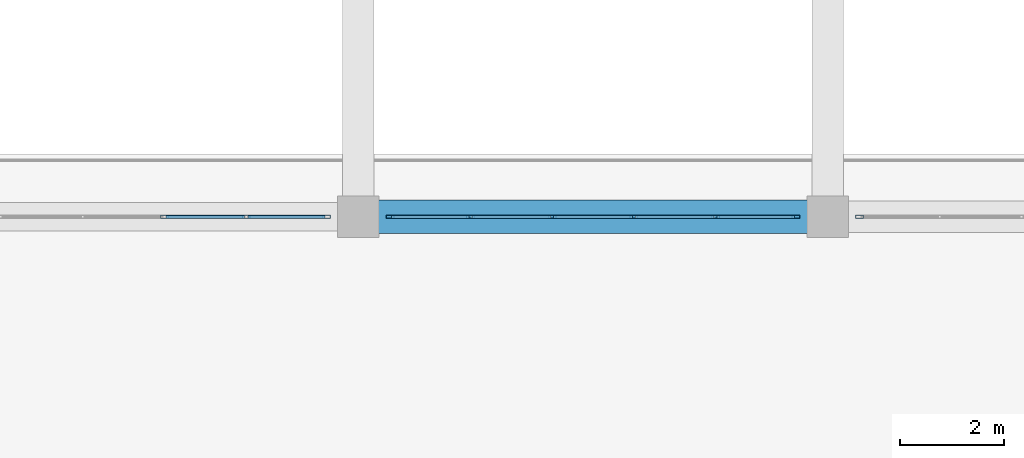
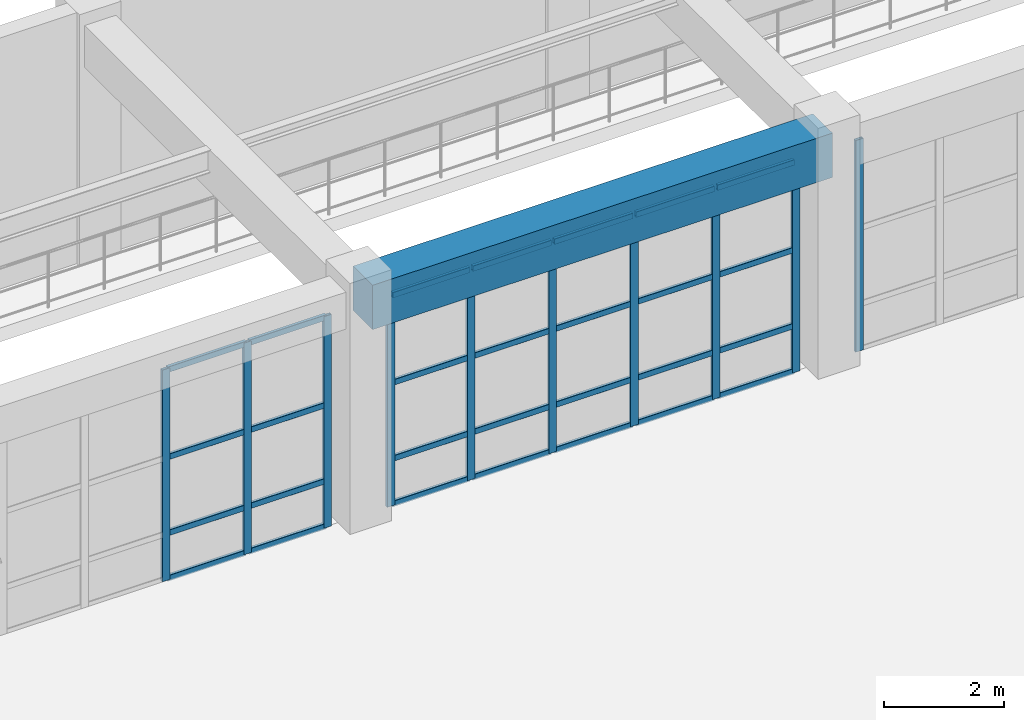
# One storey, part 62 of 128: 38 members, 1 beam, 3 elements without a shape of their own.
"""IFC4 building model written with IfcOpenShell, lengths in metres."""

from ifc_helpers import new_model, si_unit, direction, frame, origin, origin_2d, place, context, subcontext, project, spatial, rectangle, hollow_rectangle, extrude, material, material_profile, profile_set, type_object, element, aggregate, save


model = new_model("IFC4")

# Units and contexts
model_context = context("Model", 3, precision=1e-05, world=origin(), true_north=direction((0.0, 1.0)))
body_context = subcontext(model_context, "Body", "Model", "MODEL_VIEW")
ifc_project = project(units=[si_unit("LENGTHUNIT", "METRE"), si_unit("AREAUNIT", "SQUARE_METRE"), si_unit("VOLUMEUNIT", "CUBIC_METRE"), si_unit("PLANEANGLEUNIT", "RADIAN"), si_unit("MASSUNIT", "GRAM", prefix="KILO")], contexts=[model_context])

# Site, building, storey
site_placement = place(None, origin())
site = spatial("IfcSite", under=ifc_project, at=site_placement, CompositionType="ELEMENT")
building_placement = place(site_placement, origin())
building = spatial("IfcBuilding", under=site, at=building_placement, Name="Miravela Opera House", CompositionType="ELEMENT")
storey_placement = place(building_placement, origin())
storey = spatial("IfcBuildingStorey", under=building, at=storey_placement, Name="L00", CompositionType="ELEMENT", Elevation=0.0)

# Curtain wall, members
ifc_material_1 = material(Name="Anodised architectural bronze aluminium 6063-T6", Category="aluminium")
curtain_wall_type = type_object("IfcCurtainWallType", Name="ARC-CW-04", PredefinedType="NOTDEFINED", material=ifc_material_1)
curtain_wall_1_placement = place(storey_placement, origin())
curtain_wall_1 = element("IfcCurtainWall", 1, at=curtain_wall_1_placement, inside=storey, type_object=curtain_wall_type, Name="Courtyard Arcade Curtain Wall CW-L00-071", PredefinedType="NOTDEFINED")
ifc_material_profile_1 = material_profile(ifc_material_1, hollow_rectangle(XDim=0.06005859375, YDim=0.14990234375, WallThickness=0.00390625, InnerFilletRadius=0.001953125, OuterFilletRadius=0.00390625, at=origin_2d()), Name="CWM-60X150")
ifc_profile_set_1 = profile_set([ifc_material_profile_1])
member_type_1 = type_object("IfcMemberType", Name="ARC-CWM-150", PredefinedType="MULLION", material=ifc_profile_set_1)
member_1_placement = place(storey_placement, frame((32.283935546875, 103.0, 0.0), z_axis=(0.0, 0.0, 1.0), x_axis=(0.0, 1.0, 0.0)))
member_1 = element("IfcMember", 2, at=member_1_placement, type_object=member_type_1, Name="CW-04 mullion 4", PredefinedType="MULLION", context=body_context, shape_type="SweptSolid", body=[
    extrude(hollow_rectangle(XDim=0.06005859375, YDim=0.14990234375, WallThickness=0.00390625, InnerFilletRadius=0.001953125, OuterFilletRadius=0.00390625, at=origin_2d()), origin(), (0.0, 0.0, 1.0), 4.300048828125),
])
member_2_placement = place(storey_placement, frame((33.85205078125, 103.0, 0.0), z_axis=(0.0, 0.0, 1.0), x_axis=(0.0, 1.0, 0.0)))
member_2 = element("IfcMember", 3, at=member_2_placement, type_object=member_type_1, Name="CW-04 mullion 5", PredefinedType="MULLION", context=body_context, shape_type="SweptSolid", body=[
    extrude(hollow_rectangle(XDim=0.06005859375, YDim=0.14990234375, WallThickness=0.00390625, InnerFilletRadius=0.001953125, OuterFilletRadius=0.00390625, at=origin_2d()), origin(), (0.0, 0.0, 1.0), 4.300048828125),
])
member_3_placement = place(storey_placement, frame((35.389892578125, 103.0, 0.0), z_axis=(0.0, 0.0, 1.0), x_axis=(0.0, 1.0, 0.0)))
member_3 = element("IfcMember", 4, at=member_3_placement, type_object=member_type_1, Name="CW-04 mullion 6", PredefinedType="MULLION", context=body_context, shape_type="SweptSolid", body=[
    extrude(hollow_rectangle(XDim=0.06005859375, YDim=0.14990234375, WallThickness=0.00390625, InnerFilletRadius=0.001953125, OuterFilletRadius=0.00390625, at=origin_2d()), origin(), (0.0, 0.0, 1.0), 4.300048828125),
])

curtain_wall_2_placement = place(storey_placement, origin())
curtain_wall_2 = element("IfcCurtainWall", 5, at=curtain_wall_2_placement, inside=storey, type_object=curtain_wall_type, Name="Courtyard Arcade Curtain Wall CW-L00-072", PredefinedType="NOTDEFINED")
member_4_placement = place(storey_placement, frame((36.610107421875, 103.0, 0.0), z_axis=(0.0, 0.0, 1.0), x_axis=(0.0, 1.0, 0.0)))
member_4 = element("IfcMember", 6, at=member_4_placement, type_object=member_type_1, Name="CW-04 mullion 1", PredefinedType="MULLION", context=body_context, shape_type="SweptSolid", body=[
    extrude(hollow_rectangle(XDim=0.06005859375, YDim=0.14990234375, WallThickness=0.00390625, InnerFilletRadius=0.001953125, OuterFilletRadius=0.00390625, at=origin_2d()), origin(), (0.0, 0.0, 1.0), 4.300048828125),
])
member_5_placement = place(storey_placement, frame((38.14794921875, 103.0, 0.0), z_axis=(0.0, 0.0, 1.0), x_axis=(0.0, 1.0, 0.0)))
member_5 = element("IfcMember", 7, at=member_5_placement, type_object=member_type_1, Name="CW-04 mullion 2", PredefinedType="MULLION", context=body_context, shape_type="SweptSolid", body=[
    extrude(hollow_rectangle(XDim=0.06005859375, YDim=0.14990234375, WallThickness=0.00390625, InnerFilletRadius=0.001953125, OuterFilletRadius=0.00390625, at=origin_2d()), origin(), (0.0, 0.0, 1.0), 4.300048828125),
])
member_6_placement = place(storey_placement, frame((39.716064453125, 103.0, 0.0), z_axis=(0.0, 0.0, 1.0), x_axis=(0.0, 1.0, 0.0)))
member_6 = element("IfcMember", 8, at=member_6_placement, type_object=member_type_1, Name="CW-04 mullion 3", PredefinedType="MULLION", context=body_context, shape_type="SweptSolid", body=[
    extrude(hollow_rectangle(XDim=0.06005859375, YDim=0.14990234375, WallThickness=0.00390625, InnerFilletRadius=0.001953125, OuterFilletRadius=0.00390625, at=origin_2d()), origin(), (0.0, 0.0, 1.0), 4.300048828125),
])
member_7_placement = place(storey_placement, frame((41.283935546875, 103.0, 0.0), z_axis=(0.0, 0.0, 1.0), x_axis=(0.0, 1.0, 0.0)))
member_7 = element("IfcMember", 9, at=member_7_placement, type_object=member_type_1, Name="CW-04 mullion 4", PredefinedType="MULLION", context=body_context, shape_type="SweptSolid", body=[
    extrude(hollow_rectangle(XDim=0.06005859375, YDim=0.14990234375, WallThickness=0.00390625, InnerFilletRadius=0.001953125, OuterFilletRadius=0.00390625, at=origin_2d()), origin(), (0.0, 0.0, 1.0), 4.300048828125),
])
member_8_placement = place(storey_placement, frame((42.85205078125, 103.0, 0.0), z_axis=(0.0, 0.0, 1.0), x_axis=(0.0, 1.0, 0.0)))
member_8 = element("IfcMember", 10, at=member_8_placement, type_object=member_type_1, Name="CW-04 mullion 5", PredefinedType="MULLION", context=body_context, shape_type="SweptSolid", body=[
    extrude(hollow_rectangle(XDim=0.06005859375, YDim=0.14990234375, WallThickness=0.00390625, InnerFilletRadius=0.001953125, OuterFilletRadius=0.00390625, at=origin_2d()), origin(), (0.0, 0.0, 1.0), 4.300048828125),
])
member_9_placement = place(storey_placement, frame((44.389892578125, 103.0, 0.0), z_axis=(0.0, 0.0, 1.0), x_axis=(0.0, 1.0, 0.0)))
member_9 = element("IfcMember", 11, at=member_9_placement, type_object=member_type_1, Name="CW-04 mullion 6", PredefinedType="MULLION", context=body_context, shape_type="SweptSolid", body=[
    extrude(hollow_rectangle(XDim=0.06005859375, YDim=0.14990234375, WallThickness=0.00390625, InnerFilletRadius=0.001953125, OuterFilletRadius=0.00390625, at=origin_2d()), origin(), (0.0, 0.0, 1.0), 4.300048828125),
])

# Curtain wall, member
curtain_wall_3_placement = place(storey_placement, origin())
curtain_wall_3 = element("IfcCurtainWall", 12, at=curtain_wall_3_placement, inside=storey, type_object=curtain_wall_type, Name="Courtyard Arcade Curtain Wall CW-L00-073", PredefinedType="NOTDEFINED")
member_10_placement = place(storey_placement, frame((45.610107421875, 103.0, 0.0), z_axis=(0.0, 0.0, 1.0), x_axis=(0.0, 1.0, 0.0)))
member_10 = element("IfcMember", 13, at=member_10_placement, type_object=member_type_1, Name="CW-04 mullion 1", PredefinedType="MULLION", context=body_context, shape_type="SweptSolid", body=[
    extrude(hollow_rectangle(XDim=0.06005859375, YDim=0.14990234375, WallThickness=0.00390625, InnerFilletRadius=0.001953125, OuterFilletRadius=0.00390625, at=origin_2d()), origin(), (0.0, 0.0, 1.0), 4.300048828125),
])
aggregate(curtain_wall_3, [member_10])

# Member
ifc_material_profile_2 = material_profile(ifc_material_1, hollow_rectangle(XDim=0.06005859375, YDim=0.114990234375, WallThickness=0.00390625, InnerFilletRadius=0.001953125, OuterFilletRadius=0.00390625, at=origin_2d()), Name="CWT-60X115")
ifc_profile_set_2 = profile_set([ifc_material_profile_2])
member_type_2 = type_object("IfcMemberType", Name="ARC-CWT-115", PredefinedType="USERDEFINED", material=ifc_profile_set_2)
member_11_placement = place(storey_placement, frame((32.31396484375, 103.0, 0.030029296875), z_axis=(1.0, 0.0, 0.0), x_axis=(0.0, 1.0, 0.0)))
member_11 = element("IfcMember", 14, at=member_11_placement, type_object=member_type_2, Name="CW-04 transom 4.1", ObjectType="TRANSOM", PredefinedType="USERDEFINED", context=body_context, shape_type="SweptSolid", body=[
    extrude(hollow_rectangle(XDim=0.06005859375, YDim=0.114990234375, WallThickness=0.00390625, InnerFilletRadius=0.001953125, OuterFilletRadius=0.00390625, at=origin_2d()), origin(), (0.0, 0.0, 1.0), 1.508056640625),
])

member_12_placement = place(storey_placement, frame((32.31396484375, 103.0, 0.949951171875), z_axis=(1.0, 0.0, 0.0), x_axis=(0.0, 1.0, 0.0)))
member_12 = element("IfcMember", 15, at=member_12_placement, type_object=member_type_2, Name="CW-04 transom 4.2", ObjectType="TRANSOM", PredefinedType="USERDEFINED", context=body_context, shape_type="SweptSolid", body=[
    extrude(hollow_rectangle(XDim=0.06005859375, YDim=0.114990234375, WallThickness=0.00390625, InnerFilletRadius=0.001953125, OuterFilletRadius=0.00390625, at=origin_2d()), origin(), (0.0, 0.0, 1.0), 1.508056640625),
])

member_13_placement = place(storey_placement, frame((32.31396484375, 103.0, 2.493896484375), z_axis=(1.0, 0.0, 0.0), x_axis=(0.0, 1.0, 0.0)))
member_13 = element("IfcMember", 16, at=member_13_placement, type_object=member_type_2, Name="CW-04 transom 4.3", ObjectType="TRANSOM", PredefinedType="USERDEFINED", context=body_context, shape_type="SweptSolid", body=[
    extrude(hollow_rectangle(XDim=0.06005859375, YDim=0.114990234375, WallThickness=0.00390625, InnerFilletRadius=0.001953125, OuterFilletRadius=0.00390625, at=origin_2d()), origin(), (0.0, 0.0, 1.0), 1.508056640625),
])

member_14_placement = place(storey_placement, frame((32.31396484375, 103.0, 4.27001953125), z_axis=(1.0, 0.0, 0.0), x_axis=(0.0, 1.0, 0.0)))
member_14 = element("IfcMember", 17, at=member_14_placement, type_object=member_type_2, Name="CW-04 transom 4.4", ObjectType="TRANSOM", PredefinedType="USERDEFINED", context=body_context, shape_type="SweptSolid", body=[
    extrude(hollow_rectangle(XDim=0.06005859375, YDim=0.114990234375, WallThickness=0.00390625, InnerFilletRadius=0.001953125, OuterFilletRadius=0.00390625, at=origin_2d()), origin(), (0.0, 0.0, 1.0), 1.508056640625),
])

member_15_placement = place(storey_placement, frame((33.882080078125, 103.0, 0.030029296875), z_axis=(1.0, 0.0, 0.0), x_axis=(0.0, 1.0, 0.0)))
member_15 = element("IfcMember", 18, at=member_15_placement, type_object=member_type_2, Name="CW-04 transom 5.1", ObjectType="TRANSOM", PredefinedType="USERDEFINED", context=body_context, shape_type="SweptSolid", body=[
    extrude(hollow_rectangle(XDim=0.06005859375, YDim=0.114990234375, WallThickness=0.00390625, InnerFilletRadius=0.001953125, OuterFilletRadius=0.00390625, at=origin_2d()), origin(), (0.0, 0.0, 1.0), 1.47802734375),
])

member_16_placement = place(storey_placement, frame((33.882080078125, 103.0, 0.949951171875), z_axis=(1.0, 0.0, 0.0), x_axis=(0.0, 1.0, 0.0)))
member_16 = element("IfcMember", 19, at=member_16_placement, type_object=member_type_2, Name="CW-04 transom 5.2", ObjectType="TRANSOM", PredefinedType="USERDEFINED", context=body_context, shape_type="SweptSolid", body=[
    extrude(hollow_rectangle(XDim=0.06005859375, YDim=0.114990234375, WallThickness=0.00390625, InnerFilletRadius=0.001953125, OuterFilletRadius=0.00390625, at=origin_2d()), origin(), (0.0, 0.0, 1.0), 1.47802734375),
])

member_17_placement = place(storey_placement, frame((33.882080078125, 103.0, 2.493896484375), z_axis=(1.0, 0.0, 0.0), x_axis=(0.0, 1.0, 0.0)))
member_17 = element("IfcMember", 20, at=member_17_placement, type_object=member_type_2, Name="CW-04 transom 5.3", ObjectType="TRANSOM", PredefinedType="USERDEFINED", context=body_context, shape_type="SweptSolid", body=[
    extrude(hollow_rectangle(XDim=0.06005859375, YDim=0.114990234375, WallThickness=0.00390625, InnerFilletRadius=0.001953125, OuterFilletRadius=0.00390625, at=origin_2d()), origin(), (0.0, 0.0, 1.0), 1.47802734375),
])

member_18_placement = place(storey_placement, frame((33.882080078125, 103.0, 4.27001953125), z_axis=(1.0, 0.0, 0.0), x_axis=(0.0, 1.0, 0.0)))
member_18 = element("IfcMember", 21, at=member_18_placement, type_object=member_type_2, Name="CW-04 transom 5.4", ObjectType="TRANSOM", PredefinedType="USERDEFINED", context=body_context, shape_type="SweptSolid", body=[
    extrude(hollow_rectangle(XDim=0.06005859375, YDim=0.114990234375, WallThickness=0.00390625, InnerFilletRadius=0.001953125, OuterFilletRadius=0.00390625, at=origin_2d()), origin(), (0.0, 0.0, 1.0), 1.47802734375),
])

aggregate(curtain_wall_1, [member_1, member_2, member_3, member_11, member_12, member_13, member_14, member_15, member_16, member_17, member_18])

member_19_placement = place(storey_placement, frame((36.639892578125, 103.0, 0.030029296875), z_axis=(1.0, 0.0, 0.0), x_axis=(0.0, 1.0, 0.0)))
member_19 = element("IfcMember", 22, at=member_19_placement, type_object=member_type_2, Name="CW-04 transom 1.1", ObjectType="TRANSOM", PredefinedType="USERDEFINED", context=body_context, shape_type="SweptSolid", body=[
    extrude(hollow_rectangle(XDim=0.06005859375, YDim=0.114990234375, WallThickness=0.00390625, InnerFilletRadius=0.001953125, OuterFilletRadius=0.00390625, at=origin_2d()), origin(), (0.0, 0.0, 1.0), 1.47802734375),
])

member_20_placement = place(storey_placement, frame((36.639892578125, 103.0, 0.949951171875), z_axis=(1.0, 0.0, 0.0), x_axis=(0.0, 1.0, 0.0)))
member_20 = element("IfcMember", 23, at=member_20_placement, type_object=member_type_2, Name="CW-04 transom 1.2", ObjectType="TRANSOM", PredefinedType="USERDEFINED", context=body_context, shape_type="SweptSolid", body=[
    extrude(hollow_rectangle(XDim=0.06005859375, YDim=0.114990234375, WallThickness=0.00390625, InnerFilletRadius=0.001953125, OuterFilletRadius=0.00390625, at=origin_2d()), origin(), (0.0, 0.0, 1.0), 1.47802734375),
])

member_21_placement = place(storey_placement, frame((36.639892578125, 103.0, 2.493896484375), z_axis=(1.0, 0.0, 0.0), x_axis=(0.0, 1.0, 0.0)))
member_21 = element("IfcMember", 24, at=member_21_placement, type_object=member_type_2, Name="CW-04 transom 1.3", ObjectType="TRANSOM", PredefinedType="USERDEFINED", context=body_context, shape_type="SweptSolid", body=[
    extrude(hollow_rectangle(XDim=0.06005859375, YDim=0.114990234375, WallThickness=0.00390625, InnerFilletRadius=0.001953125, OuterFilletRadius=0.00390625, at=origin_2d()), origin(), (0.0, 0.0, 1.0), 1.47802734375),
])

member_22_placement = place(storey_placement, frame((36.639892578125, 103.0, 4.27001953125), z_axis=(1.0, 0.0, 0.0), x_axis=(0.0, 1.0, 0.0)))
member_22 = element("IfcMember", 25, at=member_22_placement, type_object=member_type_2, Name="CW-04 transom 1.4", ObjectType="TRANSOM", PredefinedType="USERDEFINED", context=body_context, shape_type="SweptSolid", body=[
    extrude(hollow_rectangle(XDim=0.06005859375, YDim=0.114990234375, WallThickness=0.00390625, InnerFilletRadius=0.001953125, OuterFilletRadius=0.00390625, at=origin_2d()), origin(), (0.0, 0.0, 1.0), 1.47802734375),
])

member_23_placement = place(storey_placement, frame((38.177978515625, 103.0, 0.030029296875), z_axis=(1.0, 0.0, 0.0), x_axis=(0.0, 1.0, 0.0)))
member_23 = element("IfcMember", 26, at=member_23_placement, type_object=member_type_2, Name="CW-04 transom 2.1", ObjectType="TRANSOM", PredefinedType="USERDEFINED", context=body_context, shape_type="SweptSolid", body=[
    extrude(hollow_rectangle(XDim=0.06005859375, YDim=0.114990234375, WallThickness=0.00390625, InnerFilletRadius=0.001953125, OuterFilletRadius=0.00390625, at=origin_2d()), origin(), (0.0, 0.0, 1.0), 1.508056640625),
])

member_24_placement = place(storey_placement, frame((38.177978515625, 103.0, 0.949951171875), z_axis=(1.0, 0.0, 0.0), x_axis=(0.0, 1.0, 0.0)))
member_24 = element("IfcMember", 27, at=member_24_placement, type_object=member_type_2, Name="CW-04 transom 2.2", ObjectType="TRANSOM", PredefinedType="USERDEFINED", context=body_context, shape_type="SweptSolid", body=[
    extrude(hollow_rectangle(XDim=0.06005859375, YDim=0.114990234375, WallThickness=0.00390625, InnerFilletRadius=0.001953125, OuterFilletRadius=0.00390625, at=origin_2d()), origin(), (0.0, 0.0, 1.0), 1.508056640625),
])

member_25_placement = place(storey_placement, frame((38.177978515625, 103.0, 2.493896484375), z_axis=(1.0, 0.0, 0.0), x_axis=(0.0, 1.0, 0.0)))
member_25 = element("IfcMember", 28, at=member_25_placement, type_object=member_type_2, Name="CW-04 transom 2.3", ObjectType="TRANSOM", PredefinedType="USERDEFINED", context=body_context, shape_type="SweptSolid", body=[
    extrude(hollow_rectangle(XDim=0.06005859375, YDim=0.114990234375, WallThickness=0.00390625, InnerFilletRadius=0.001953125, OuterFilletRadius=0.00390625, at=origin_2d()), origin(), (0.0, 0.0, 1.0), 1.508056640625),
])

member_26_placement = place(storey_placement, frame((38.177978515625, 103.0, 4.27001953125), z_axis=(1.0, 0.0, 0.0), x_axis=(0.0, 1.0, 0.0)))
member_26 = element("IfcMember", 29, at=member_26_placement, type_object=member_type_2, Name="CW-04 transom 2.4", ObjectType="TRANSOM", PredefinedType="USERDEFINED", context=body_context, shape_type="SweptSolid", body=[
    extrude(hollow_rectangle(XDim=0.06005859375, YDim=0.114990234375, WallThickness=0.00390625, InnerFilletRadius=0.001953125, OuterFilletRadius=0.00390625, at=origin_2d()), origin(), (0.0, 0.0, 1.0), 1.508056640625),
])

member_27_placement = place(storey_placement, frame((39.74609375, 103.0, 0.030029296875), z_axis=(1.0, 0.0, 0.0), x_axis=(0.0, 1.0, 0.0)))
member_27 = element("IfcMember", 30, at=member_27_placement, type_object=member_type_2, Name="CW-04 transom 3.1", ObjectType="TRANSOM", PredefinedType="USERDEFINED", context=body_context, shape_type="SweptSolid", body=[
    extrude(hollow_rectangle(XDim=0.06005859375, YDim=0.114990234375, WallThickness=0.00390625, InnerFilletRadius=0.001953125, OuterFilletRadius=0.00390625, at=origin_2d()), origin(), (0.0, 0.0, 1.0), 1.5078125),
])

member_28_placement = place(storey_placement, frame((39.74609375, 103.0, 0.949951171875), z_axis=(1.0, 0.0, 0.0), x_axis=(0.0, 1.0, 0.0)))
member_28 = element("IfcMember", 31, at=member_28_placement, type_object=member_type_2, Name="CW-04 transom 3.2", ObjectType="TRANSOM", PredefinedType="USERDEFINED", context=body_context, shape_type="SweptSolid", body=[
    extrude(hollow_rectangle(XDim=0.06005859375, YDim=0.114990234375, WallThickness=0.00390625, InnerFilletRadius=0.001953125, OuterFilletRadius=0.00390625, at=origin_2d()), origin(), (0.0, 0.0, 1.0), 1.5078125),
])

member_29_placement = place(storey_placement, frame((39.74609375, 103.0, 2.493896484375), z_axis=(1.0, 0.0, 0.0), x_axis=(0.0, 1.0, 0.0)))
member_29 = element("IfcMember", 32, at=member_29_placement, type_object=member_type_2, Name="CW-04 transom 3.3", ObjectType="TRANSOM", PredefinedType="USERDEFINED", context=body_context, shape_type="SweptSolid", body=[
    extrude(hollow_rectangle(XDim=0.06005859375, YDim=0.114990234375, WallThickness=0.00390625, InnerFilletRadius=0.001953125, OuterFilletRadius=0.00390625, at=origin_2d()), origin(), (0.0, 0.0, 1.0), 1.5078125),
])

member_30_placement = place(storey_placement, frame((39.74609375, 103.0, 4.27001953125), z_axis=(1.0, 0.0, 0.0), x_axis=(0.0, 1.0, 0.0)))
member_30 = element("IfcMember", 33, at=member_30_placement, type_object=member_type_2, Name="CW-04 transom 3.4", ObjectType="TRANSOM", PredefinedType="USERDEFINED", context=body_context, shape_type="SweptSolid", body=[
    extrude(hollow_rectangle(XDim=0.06005859375, YDim=0.114990234375, WallThickness=0.00390625, InnerFilletRadius=0.001953125, OuterFilletRadius=0.00390625, at=origin_2d()), origin(), (0.0, 0.0, 1.0), 1.5078125),
])

member_31_placement = place(storey_placement, frame((41.31396484375, 103.0, 0.030029296875), z_axis=(1.0, 0.0, 0.0), x_axis=(0.0, 1.0, 0.0)))
member_31 = element("IfcMember", 34, at=member_31_placement, type_object=member_type_2, Name="CW-04 transom 4.1", ObjectType="TRANSOM", PredefinedType="USERDEFINED", context=body_context, shape_type="SweptSolid", body=[
    extrude(hollow_rectangle(XDim=0.06005859375, YDim=0.114990234375, WallThickness=0.00390625, InnerFilletRadius=0.001953125, OuterFilletRadius=0.00390625, at=origin_2d()), origin(), (0.0, 0.0, 1.0), 1.508056640625),
])

member_32_placement = place(storey_placement, frame((41.31396484375, 103.0, 0.949951171875), z_axis=(1.0, 0.0, 0.0), x_axis=(0.0, 1.0, 0.0)))
member_32 = element("IfcMember", 35, at=member_32_placement, type_object=member_type_2, Name="CW-04 transom 4.2", ObjectType="TRANSOM", PredefinedType="USERDEFINED", context=body_context, shape_type="SweptSolid", body=[
    extrude(hollow_rectangle(XDim=0.06005859375, YDim=0.114990234375, WallThickness=0.00390625, InnerFilletRadius=0.001953125, OuterFilletRadius=0.00390625, at=origin_2d()), origin(), (0.0, 0.0, 1.0), 1.508056640625),
])

member_33_placement = place(storey_placement, frame((41.31396484375, 103.0, 2.493896484375), z_axis=(1.0, 0.0, 0.0), x_axis=(0.0, 1.0, 0.0)))
member_33 = element("IfcMember", 36, at=member_33_placement, type_object=member_type_2, Name="CW-04 transom 4.3", ObjectType="TRANSOM", PredefinedType="USERDEFINED", context=body_context, shape_type="SweptSolid", body=[
    extrude(hollow_rectangle(XDim=0.06005859375, YDim=0.114990234375, WallThickness=0.00390625, InnerFilletRadius=0.001953125, OuterFilletRadius=0.00390625, at=origin_2d()), origin(), (0.0, 0.0, 1.0), 1.508056640625),
])

member_34_placement = place(storey_placement, frame((41.31396484375, 103.0, 4.27001953125), z_axis=(1.0, 0.0, 0.0), x_axis=(0.0, 1.0, 0.0)))
member_34 = element("IfcMember", 37, at=member_34_placement, type_object=member_type_2, Name="CW-04 transom 4.4", ObjectType="TRANSOM", PredefinedType="USERDEFINED", context=body_context, shape_type="SweptSolid", body=[
    extrude(hollow_rectangle(XDim=0.06005859375, YDim=0.114990234375, WallThickness=0.00390625, InnerFilletRadius=0.001953125, OuterFilletRadius=0.00390625, at=origin_2d()), origin(), (0.0, 0.0, 1.0), 1.508056640625),
])

member_35_placement = place(storey_placement, frame((42.882080078125, 103.0, 0.030029296875), z_axis=(1.0, 0.0, 0.0), x_axis=(0.0, 1.0, 0.0)))
member_35 = element("IfcMember", 38, at=member_35_placement, type_object=member_type_2, Name="CW-04 transom 5.1", ObjectType="TRANSOM", PredefinedType="USERDEFINED", context=body_context, shape_type="SweptSolid", body=[
    extrude(hollow_rectangle(XDim=0.06005859375, YDim=0.114990234375, WallThickness=0.00390625, InnerFilletRadius=0.001953125, OuterFilletRadius=0.00390625, at=origin_2d()), origin(), (0.0, 0.0, 1.0), 1.47802734375),
])

member_36_placement = place(storey_placement, frame((42.882080078125, 103.0, 0.949951171875), z_axis=(1.0, 0.0, 0.0), x_axis=(0.0, 1.0, 0.0)))
member_36 = element("IfcMember", 39, at=member_36_placement, type_object=member_type_2, Name="CW-04 transom 5.2", ObjectType="TRANSOM", PredefinedType="USERDEFINED", context=body_context, shape_type="SweptSolid", body=[
    extrude(hollow_rectangle(XDim=0.06005859375, YDim=0.114990234375, WallThickness=0.00390625, InnerFilletRadius=0.001953125, OuterFilletRadius=0.00390625, at=origin_2d()), origin(), (0.0, 0.0, 1.0), 1.47802734375),
])

member_37_placement = place(storey_placement, frame((42.882080078125, 103.0, 2.493896484375), z_axis=(1.0, 0.0, 0.0), x_axis=(0.0, 1.0, 0.0)))
member_37 = element("IfcMember", 40, at=member_37_placement, type_object=member_type_2, Name="CW-04 transom 5.3", ObjectType="TRANSOM", PredefinedType="USERDEFINED", context=body_context, shape_type="SweptSolid", body=[
    extrude(hollow_rectangle(XDim=0.06005859375, YDim=0.114990234375, WallThickness=0.00390625, InnerFilletRadius=0.001953125, OuterFilletRadius=0.00390625, at=origin_2d()), origin(), (0.0, 0.0, 1.0), 1.47802734375),
])

member_38_placement = place(storey_placement, frame((42.882080078125, 103.0, 4.27001953125), z_axis=(1.0, 0.0, 0.0), x_axis=(0.0, 1.0, 0.0)))
member_38 = element("IfcMember", 41, at=member_38_placement, type_object=member_type_2, Name="CW-04 transom 5.4", ObjectType="TRANSOM", PredefinedType="USERDEFINED", context=body_context, shape_type="SweptSolid", body=[
    extrude(hollow_rectangle(XDim=0.06005859375, YDim=0.114990234375, WallThickness=0.00390625, InnerFilletRadius=0.001953125, OuterFilletRadius=0.00390625, at=origin_2d()), origin(), (0.0, 0.0, 1.0), 1.47802734375),
])

aggregate(curtain_wall_2, [member_4, member_5, member_6, member_7, member_8, member_9, member_19, member_20, member_21, member_22, member_23, member_24, member_25, member_26, member_27, member_28, member_29, member_30, member_31, member_32, member_33, member_34, member_35, member_36, member_37, member_38])

# Beam
ifc_material_2 = material(Name="Concrete C40/50", Category="concrete")
ifc_material_profile_3 = material_profile(ifc_material_2, rectangle(XDim=0.64990234375, YDim=0.89990234375, at=origin_2d()), Name="RC-BM-650X900")
ifc_profile_set_3 = profile_set([ifc_material_profile_3])
beam_type = type_object("IfcBeamType", Name="STR-BM-RC650X900", PredefinedType="BEAM", material=ifc_profile_set_3)
beam_placement = place(storey_placement, frame((36.080078125, 103.0, 4.39990234375), z_axis=(1.0, 0.0, 0.0), x_axis=(0.0, 1.0, 0.0)))
element("IfcBeam", 42, at=beam_placement, inside=storey, type_object=beam_type, Name="Floor Girder L00 5-6/L", PredefinedType="BEAM", context=body_context, shape_type="SweptSolid", body=[
    extrude(rectangle(XDim=0.64990234375, YDim=0.89990234375, at=origin_2d()), origin(), (0.0, 0.0, 1.0), 8.83984375),
])

save(model, "model.ifc")
